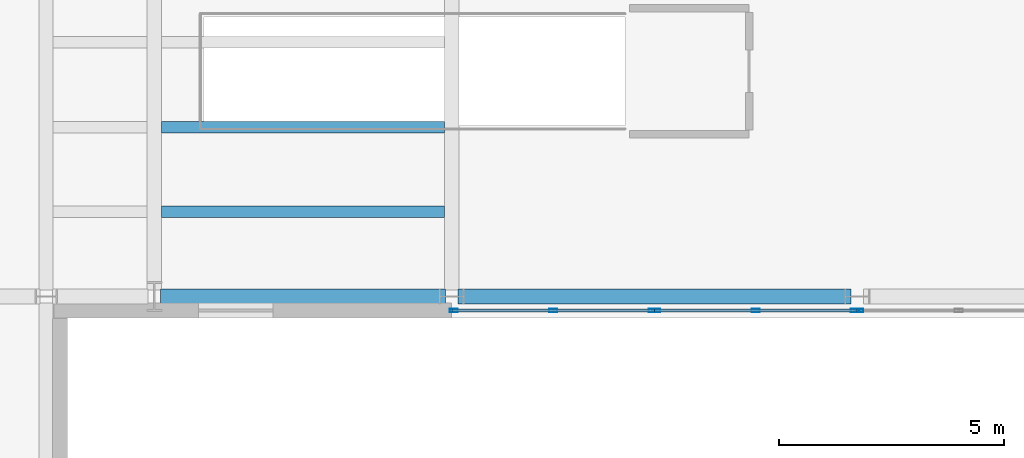
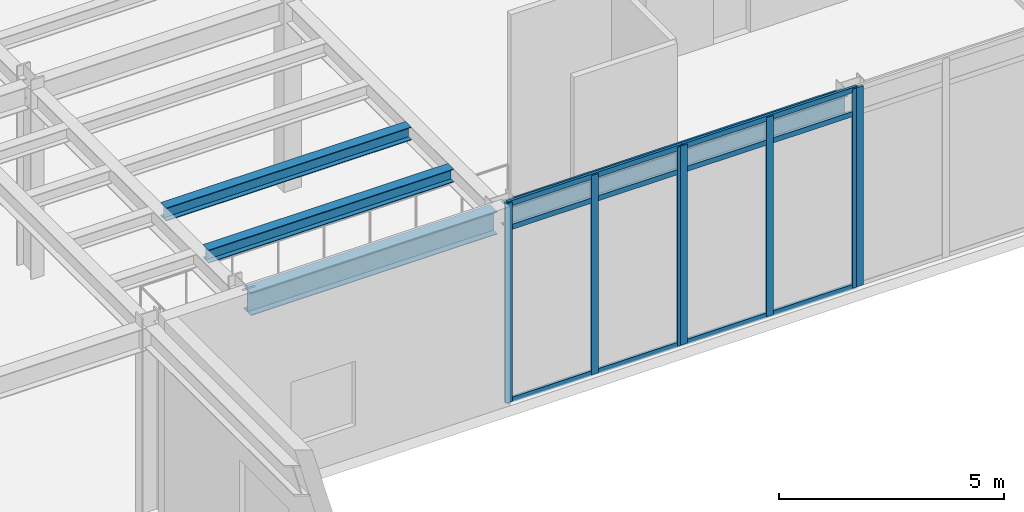
# One storey, part 52 of 98: 13 members, 4 beams, 3 elements without a shape of their own.
"""IFC4 building model written with IfcOpenShell, lengths in metres."""

from ifc_helpers import new_model, si_unit, direction, frame, origin, origin_2d, place, context, subcontext, project, spatial, hollow_rectangle, i_section, extrude, material, layer, layer_set, material_profile, profile_set, type_object, element, aggregate, save


model = new_model("IFC4")

# Units and contexts
model_context = context("Model", 3, precision=1e-05, world=origin(), true_north=direction((0.0, 1.0)))
body_context = subcontext(model_context, "Body", "Model", "MODEL_VIEW")
ifc_project = project(units=[si_unit("LENGTHUNIT", "METRE"), si_unit("AREAUNIT", "SQUARE_METRE"), si_unit("VOLUMEUNIT", "CUBIC_METRE"), si_unit("PLANEANGLEUNIT", "RADIAN"), si_unit("MASSUNIT", "GRAM", prefix="KILO")], contexts=[model_context])

# Site, building, storey
site_placement = place(None, origin())
site = spatial("IfcSite", under=ifc_project, at=site_placement, CompositionType="ELEMENT")
building_placement = place(site_placement, origin())
building = spatial("IfcBuilding", under=site, at=building_placement, Name="Sollismere Congress Hotel", CompositionType="ELEMENT")
storey_placement = place(building_placement, frame((0.0, 0.0, 5.39990234375)))
storey = spatial("IfcBuildingStorey", under=building, at=storey_placement, Name="L01", CompositionType="ELEMENT", Elevation=5.39990234375)

# Beams
ifc_material_1 = material(Name="Steel ASTM A992 Grade 50", Category="steel")
ifc_material_profile_1 = material_profile(ifc_material_1, i_section(OverallWidth=0.324951171875, OverallDepth=0.612060546875, WebThickness=0.0126953125, FlangeThickness=0.01904296875, at=origin_2d()), Name="W24X104")
ifc_profile_set_1 = profile_set([ifc_material_profile_1], Name="Steel ASTM A992 Grade 50")
beam_type_1 = type_object("IfcBeamType", Name="BM-G24", PredefinedType="BEAM", material=ifc_profile_set_1)
beam_1_placement = place(storey_placement, frame((60.5400390625, 66.800048828125, 4.814208984375), z_axis=(1.0, 0.0, 0.0), x_axis=(0.0, 1.0, 0.0)))
element("IfcBeam", 1, at=beam_1_placement, inside=storey, type_object=beam_type_1, Name="Beam BM-L01-1589", PredefinedType="BEAM", context=body_context, shape_type="SweptSolid", body=[
    extrude(i_section(OverallWidth=0.324951171875, OverallDepth=0.612060546875, WebThickness=0.0126953125, FlangeThickness=0.01904296875, at=origin_2d()), origin(), (0.0, 0.0, 1.0), 6.320068359375),
])
beam_2_placement = place(storey_placement, frame((67.139892578125, 66.800048828125, 4.814208984375), z_axis=(1.0, 0.0, 0.0), x_axis=(0.0, 1.0, 0.0)))
element("IfcBeam", 2, at=beam_2_placement, inside=storey, type_object=beam_type_1, Name="Beam BM-L01-1590", PredefinedType="BEAM", context=body_context, shape_type="SweptSolid", body=[
    extrude(i_section(OverallWidth=0.324951171875, OverallDepth=0.612060546875, WebThickness=0.0126953125, FlangeThickness=0.01904296875, at=origin_2d()), origin(), (0.0, 0.0, 1.0), 8.72021484375),
])
ifc_material_profile_2 = material_profile(ifc_material_1, i_section(OverallWidth=0.25390625, OverallDepth=0.35595703125, WebThickness=0.010498046875, FlangeThickness=0.018310546875, at=origin_2d()), Name="W14X68")
ifc_profile_set_2 = profile_set([ifc_material_profile_2], Name="Steel ASTM A992 Grade 50")
beam_type_2 = type_object("IfcBeamType", Name="BM-J14", PredefinedType="JOIST", material=ifc_profile_set_2)
for number, where, z_axis, x_axis, name in (
    (3, (60.5576171875, 68.679931640625, 4.942138671875), (1.0, 0.0, 0.0), (0.0, 1.0, 0.0), "Beam BM-L01-1779"),
    (4, (60.5576171875, 70.56005859375, 4.942138671875), (1.0, 0.0, 0.0), (0.0, 1.0, 0.0), "Beam BM-L01-1780"),
):
    element("IfcBeam", number, at=place(storey_placement, frame(where, z_axis=z_axis, x_axis=x_axis)), inside=storey, type_object=beam_type_2, Name=name, PredefinedType="JOIST", context=body_context, shape_type="SweptSolid", body=[
        extrude(i_section(OverallWidth=0.25390625, OverallDepth=0.35595703125, WebThickness=0.010498046875, FlangeThickness=0.018310546875, at=origin_2d()), origin(), (0.0, 0.0, 1.0), 6.284912109375),
    ])

# Curtain wall, members
ifc_material_2 = material(Name="Anodized Bronze Curtain Wall & Low-E Triple Glazing", Category="glass")
ifc_layer = layer(ifc_material_2, 0.199951171875, Name="Anodized Bronze Curtain Wall & Low-E Triple Glazing")
ifc_layer_set = layer_set([ifc_layer], Name="Anodized Bronze Curtain Wall & Low-E Triple Glazing")
curtain_wall_type = type_object("IfcCurtainWallType", Name="CW-GLZ36", PredefinedType="USERDEFINED", material=ifc_layer_set)
curtain_wall_1_placement = place(storey_placement, origin())
curtain_wall_1 = element("IfcCurtainWall", 5, at=curtain_wall_1_placement, inside=storey, type_object=curtain_wall_type, Name="Unitised curtain wall CW-L01-089", ObjectType="UNITISED CURTAIN WALL", PredefinedType="USERDEFINED")
ifc_material_3 = material(Name="Anodized Aluminum 6063-T6", Category="aluminium")
ifc_material_profile_3 = material_profile(ifc_material_3, hollow_rectangle(XDim=0.074951171875, YDim=0.179931640625, WallThickness=0.0048828125, at=origin_2d()), Name="ALU180X75X5")
ifc_profile_set_3 = profile_set([ifc_material_profile_3], Name="Anodized Aluminum 6063-T6")
member_type_1 = type_object("IfcMemberType", Name="ML-CW180", PredefinedType="MULLION", material=ifc_profile_set_3)
member_1_placement = place(storey_placement, frame((67.048095703125, 66.489990234375, 0.0), z_axis=(0.0, 0.0, 1.0), x_axis=(0.0, 1.0, 0.0)))
member_1 = element("IfcMember", 6, at=member_1_placement, type_object=member_type_1, Name="CWL-CW-L01-089-ML01", PredefinedType="MULLION", context=body_context, shape_type="SweptSolid", body=[
    extrude(hollow_rectangle(XDim=0.074951171875, YDim=0.179931640625, WallThickness=0.0048828125, at=origin_2d()), origin(), (0.0, 0.0, 1.0), 5.400146484375),
])
member_2_placement = place(storey_placement, frame((69.2548828125, 66.489990234375, 0.0), z_axis=(0.0, 0.0, 1.0), x_axis=(0.0, 1.0, 0.0)))
member_2 = element("IfcMember", 7, at=member_2_placement, type_object=member_type_1, Name="CWL-CW-L01-089-ML02", PredefinedType="MULLION", context=body_context, shape_type="SweptSolid", body=[
    extrude(hollow_rectangle(XDim=0.074951171875, YDim=0.179931640625, WallThickness=0.0048828125, at=origin_2d()), origin(), (0.0, 0.0, 1.0), 5.400146484375),
])
member_3_placement = place(storey_placement, frame((71.4619140625, 66.489990234375, 0.0), z_axis=(0.0, 0.0, 1.0), x_axis=(0.0, 1.0, 0.0)))
member_3 = element("IfcMember", 8, at=member_3_placement, type_object=member_type_1, Name="CWL-CW-L01-089-ML03", PredefinedType="MULLION", context=body_context, shape_type="SweptSolid", body=[
    extrude(hollow_rectangle(XDim=0.074951171875, YDim=0.179931640625, WallThickness=0.0048828125, at=origin_2d()), origin(), (0.0, 0.0, 1.0), 5.400146484375),
])

curtain_wall_2_placement = place(storey_placement, origin())
curtain_wall_2 = element("IfcCurtainWall", 9, at=curtain_wall_2_placement, inside=storey, type_object=curtain_wall_type, Name="Unitised curtain wall CW-L01-090", ObjectType="UNITISED CURTAIN WALL", PredefinedType="USERDEFINED")
member_4_placement = place(storey_placement, frame((71.5380859375, 66.489990234375, 0.0), z_axis=(0.0, 0.0, 1.0), x_axis=(0.0, 1.0, 0.0)))
member_4 = element("IfcMember", 10, at=member_4_placement, type_object=member_type_1, Name="CWL-CW-L01-090-ML01", PredefinedType="MULLION", context=body_context, shape_type="SweptSolid", body=[
    extrude(hollow_rectangle(XDim=0.074951171875, YDim=0.179931640625, WallThickness=0.0048828125, at=origin_2d()), origin(), (0.0, 0.0, 1.0), 5.400146484375),
])
member_5_placement = place(storey_placement, frame((73.7451171875, 66.489990234375, 0.0), z_axis=(0.0, 0.0, 1.0), x_axis=(0.0, 1.0, 0.0)))
member_5 = element("IfcMember", 11, at=member_5_placement, type_object=member_type_1, Name="CWL-CW-L01-090-ML02", PredefinedType="MULLION", context=body_context, shape_type="SweptSolid", body=[
    extrude(hollow_rectangle(XDim=0.074951171875, YDim=0.179931640625, WallThickness=0.0048828125, at=origin_2d()), origin(), (0.0, 0.0, 1.0), 5.400146484375),
])
member_6_placement = place(storey_placement, frame((75.951904296875, 66.489990234375, 0.0), z_axis=(0.0, 0.0, 1.0), x_axis=(0.0, 1.0, 0.0)))
member_6 = element("IfcMember", 12, at=member_6_placement, type_object=member_type_1, Name="CWL-CW-L01-090-ML03", PredefinedType="MULLION", context=body_context, shape_type="SweptSolid", body=[
    extrude(hollow_rectangle(XDim=0.074951171875, YDim=0.179931640625, WallThickness=0.0048828125, at=origin_2d()), origin(), (0.0, 0.0, 1.0), 5.400146484375),
])

# Curtain wall, member
curtain_wall_3_placement = place(storey_placement, origin())
curtain_wall_3 = element("IfcCurtainWall", 13, at=curtain_wall_3_placement, inside=storey, type_object=curtain_wall_type, Name="Unitised curtain wall CW-L01-091", ObjectType="UNITISED CURTAIN WALL", PredefinedType="USERDEFINED")
member_7_placement = place(storey_placement, frame((76.048095703125, 66.489990234375, 0.0), z_axis=(0.0, 0.0, 1.0), x_axis=(0.0, 1.0, 0.0)))
member_7 = element("IfcMember", 14, at=member_7_placement, type_object=member_type_1, Name="CWL-CW-L01-091-ML01", PredefinedType="MULLION", context=body_context, shape_type="SweptSolid", body=[
    extrude(hollow_rectangle(XDim=0.074951171875, YDim=0.179931640625, WallThickness=0.0048828125, at=origin_2d()), origin(), (0.0, 0.0, 1.0), 5.400146484375),
])
aggregate(curtain_wall_3, [member_7])

# Member
ifc_material_profile_4 = material_profile(ifc_material_3, hollow_rectangle(XDim=0.06494140625, YDim=0.139892578125, WallThickness=0.00390625, at=origin_2d()), Name="ALU140X65X4")
ifc_profile_set_4 = profile_set([ifc_material_profile_4], Name="Anodized Aluminum 6063-T6")
member_type_2 = type_object("IfcMemberType", Name="TR-CW150", PredefinedType="MEMBER", material=ifc_profile_set_4)
member_8_placement = place(storey_placement, frame((67.010009765625, 66.489990234375, 0.03271484375), z_axis=(1.0, 0.0, 0.0), x_axis=(0.0, 1.0, 0.0)))
member_8 = element("IfcMember", 15, at=member_8_placement, type_object=member_type_2, Name="CWL-CW-L01-089-TR1", PredefinedType="MEMBER", context=body_context, shape_type="SweptSolid", body=[
    extrude(hollow_rectangle(XDim=0.06494140625, YDim=0.139892578125, WallThickness=0.00390625, at=origin_2d()), origin(), (0.0, 0.0, 1.0), 4.489990234375),
])

member_9_placement = place(storey_placement, frame((67.010009765625, 66.489990234375, 4.72021484375), z_axis=(1.0, 0.0, 0.0), x_axis=(0.0, 1.0, 0.0)))
member_9 = element("IfcMember", 16, at=member_9_placement, type_object=member_type_2, Name="CWL-CW-L01-089-TR2", PredefinedType="MEMBER", context=body_context, shape_type="SweptSolid", body=[
    extrude(hollow_rectangle(XDim=0.06494140625, YDim=0.139892578125, WallThickness=0.00390625, at=origin_2d()), origin(), (0.0, 0.0, 1.0), 4.489990234375),
])

member_10_placement = place(storey_placement, frame((67.010009765625, 66.489990234375, 5.36767578125), z_axis=(1.0, 0.0, 0.0), x_axis=(0.0, 1.0, 0.0)))
member_10 = element("IfcMember", 17, at=member_10_placement, type_object=member_type_2, Name="CWL-CW-L01-089-TR3", PredefinedType="MEMBER", context=body_context, shape_type="SweptSolid", body=[
    extrude(hollow_rectangle(XDim=0.06494140625, YDim=0.139892578125, WallThickness=0.00390625, at=origin_2d()), origin(), (0.0, 0.0, 1.0), 4.489990234375),
])

aggregate(curtain_wall_1, [member_1, member_2, member_3, member_8, member_9, member_10])

member_11_placement = place(storey_placement, frame((71.5, 66.489990234375, 0.03271484375), z_axis=(1.0, 0.0, 0.0), x_axis=(0.0, 1.0, 0.0)))
member_11 = element("IfcMember", 18, at=member_11_placement, type_object=member_type_2, Name="CWL-CW-L01-090-TR1", PredefinedType="MEMBER", context=body_context, shape_type="SweptSolid", body=[
    extrude(hollow_rectangle(XDim=0.06494140625, YDim=0.139892578125, WallThickness=0.00390625, at=origin_2d()), origin(), (0.0, 0.0, 1.0), 4.489990234375),
])

member_12_placement = place(storey_placement, frame((71.5, 66.489990234375, 4.72021484375), z_axis=(1.0, 0.0, 0.0), x_axis=(0.0, 1.0, 0.0)))
member_12 = element("IfcMember", 19, at=member_12_placement, type_object=member_type_2, Name="CWL-CW-L01-090-TR2", PredefinedType="MEMBER", context=body_context, shape_type="SweptSolid", body=[
    extrude(hollow_rectangle(XDim=0.06494140625, YDim=0.139892578125, WallThickness=0.00390625, at=origin_2d()), origin(), (0.0, 0.0, 1.0), 4.489990234375),
])

member_13_placement = place(storey_placement, frame((71.5, 66.489990234375, 5.36767578125), z_axis=(1.0, 0.0, 0.0), x_axis=(0.0, 1.0, 0.0)))
member_13 = element("IfcMember", 20, at=member_13_placement, type_object=member_type_2, Name="CWL-CW-L01-090-TR3", PredefinedType="MEMBER", context=body_context, shape_type="SweptSolid", body=[
    extrude(hollow_rectangle(XDim=0.06494140625, YDim=0.139892578125, WallThickness=0.00390625, at=origin_2d()), origin(), (0.0, 0.0, 1.0), 4.489990234375),
])

aggregate(curtain_wall_2, [member_4, member_5, member_6, member_11, member_12, member_13])

save(model, "model.ifc")
